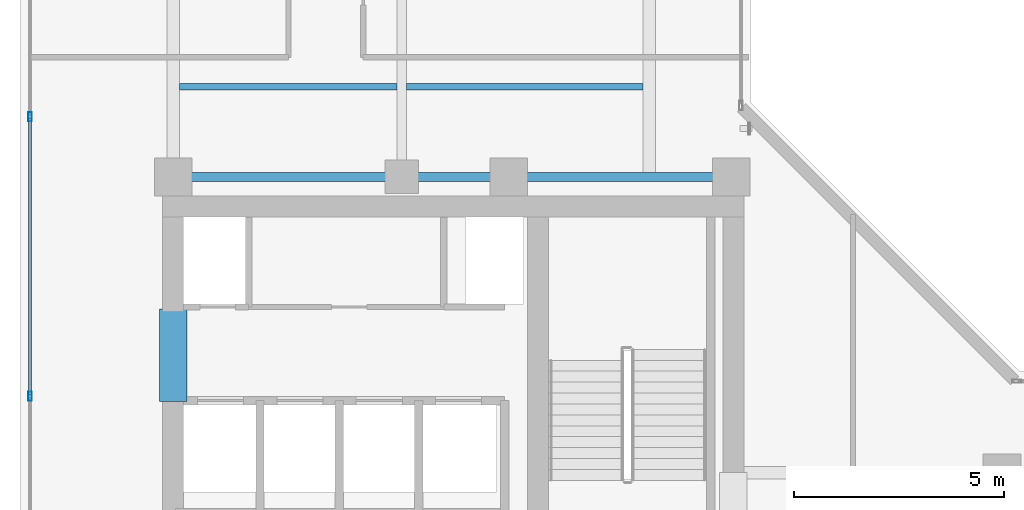
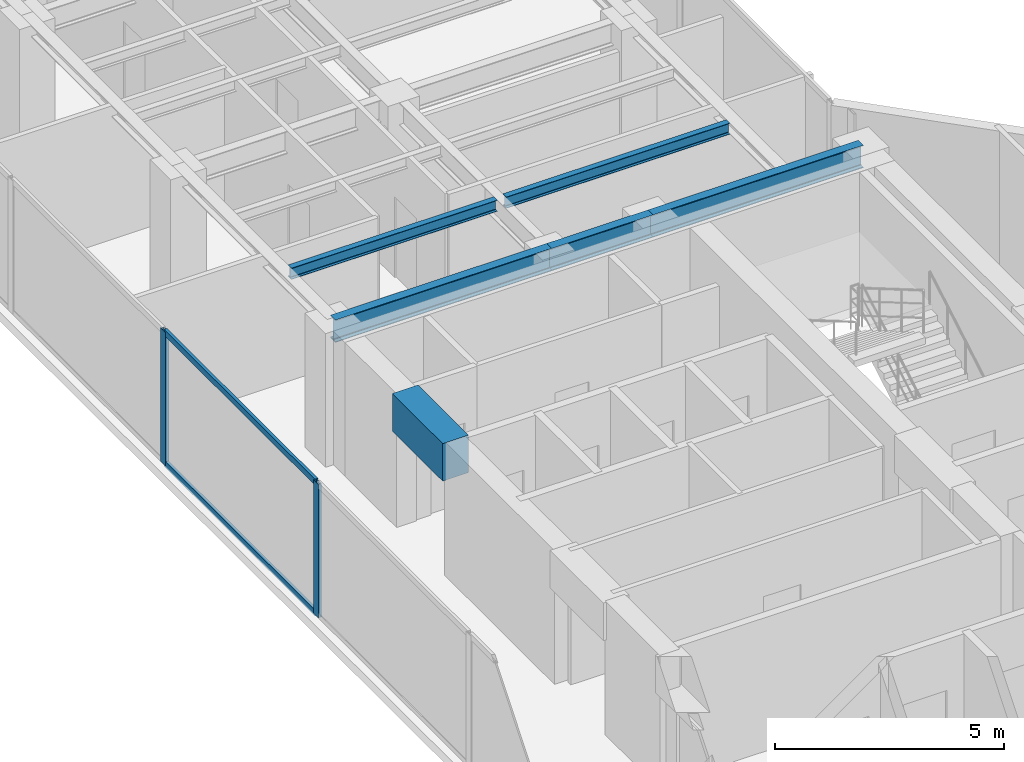
# One storey, part 7 of 22: 6 beams, 4 members, 1 element without a shape of its own.
"""IFC4 building model written with IfcOpenShell, lengths in metres."""

from ifc_helpers import new_model, si_unit, direction, frame, origin, origin_with_axes, origin_2d, place, context, subcontext, project, spatial, rectangle, hollow_rectangle, i_section, extrude, source, transform, mapped, material, layer, layer_set, material_profile, profile_set, type_object, element, aggregate, save


model = new_model("IFC4")

# Units and contexts
model_context = context("Model", 3, precision=1e-05, world=origin(), true_north=direction((0.0, 1.0)))
body_context = subcontext(model_context, "Body", "Model", "MODEL_VIEW")
ifc_project = project(units=[si_unit("LENGTHUNIT", "METRE"), si_unit("AREAUNIT", "SQUARE_METRE"), si_unit("VOLUMEUNIT", "CUBIC_METRE"), si_unit("PLANEANGLEUNIT", "RADIAN"), si_unit("MASSUNIT", "GRAM", prefix="KILO")], contexts=[model_context])

# Site, building, storey
site_placement = place(None, origin())
site = spatial("IfcSite", under=ifc_project, at=site_placement, CompositionType="ELEMENT")
building_placement = place(site_placement, origin())
building = spatial("IfcBuilding", under=site, at=building_placement, Name="Kolvaren Waterfront Exchange", CompositionType="ELEMENT")
storey_placement = place(building_placement, frame((0.0, 0.0, 327.39990234375)))
storey = spatial("IfcBuildingStorey", under=building, at=storey_placement, Name="L84", CompositionType="ELEMENT", Elevation=327.39990234375)

# Beams
ifc_material_1 = material(Name="Steel S355", Category="steel")
ifc_material_profile_1 = material_profile(ifc_material_1, i_section(OverallWidth=0.14990234375, OverallDepth=0.300048828125, WebThickness=0.007080078125, FlangeThickness=0.0107421875, FilletRadius=0.014892578125, at=origin_2d()), Name="IPE300")
ifc_profile_set_1 = profile_set([ifc_material_profile_1], Name="Steel S355")
beam_type_1 = type_object("IfcBeamType", Name="STR-BM-IPE300", PredefinedType="JOIST", material=ifc_profile_set_1)
beam_1_placement = place(storey_placement, frame((7.60205078125, 26.60009765625, 3.41015625), z_axis=(1.0, 0.0, 0.0), x_axis=(0.0, 1.0, 0.0)))
element("IfcBeam", 1, at=beam_1_placement, inside=storey, type_object=beam_type_1, Name="L84 north-arm composite joist 1A", PredefinedType="JOIST", context=body_context, shape_type="SweptSolid", body=[
    extrude(i_section(OverallWidth=0.14990234375, OverallDepth=0.300048828125, WebThickness=0.007080078125, FlangeThickness=0.0107421875, FilletRadius=0.014892578125, at=origin_2d()), origin(), (0.0, 0.0, 1.0), 5.18603515625),
])
beam_2_placement = place(storey_placement, frame((13.011962890625, 26.60009765625, 3.41015625), z_axis=(1.0, 0.0, 0.0), x_axis=(0.0, 1.0, 0.0)))
element("IfcBeam", 2, at=beam_2_placement, inside=storey, type_object=beam_type_1, Name="L84 north-arm composite joist 1B", PredefinedType="JOIST", context=body_context, shape_type="SweptSolid", body=[
    extrude(i_section(OverallWidth=0.14990234375, OverallDepth=0.300048828125, WebThickness=0.007080078125, FlangeThickness=0.0107421875, FilletRadius=0.014892578125, at=origin_2d()), origin(), (0.0, 0.0, 1.0), 5.635986328125),
])
ifc_material_profile_2 = material_profile(ifc_material_1, i_section(OverallWidth=0.219970703125, OverallDepth=0.60009765625, WebThickness=0.011962890625, FlangeThickness=0.01904296875, FilletRadius=0.02392578125, at=origin_2d()), Name="IPE600")
ifc_profile_set_2 = profile_set([ifc_material_profile_2], Name="Steel S355")
beam_type_2 = type_object("IfcBeamType", Name="STR-BM-IPE600", PredefinedType="BEAM", material=ifc_profile_set_2)
beam_3_placement = place(storey_placement, frame((7.449951171875, 24.449951171875, 3.260009765625), z_axis=(1.0, 0.0, 0.0), x_axis=(0.0, 1.0, 0.0)))
element("IfcBeam", 3, at=beam_3_placement, inside=storey, type_object=beam_type_2, Name="L84 north-arm girder 1A", PredefinedType="BEAM", context=body_context, shape_type="SweptSolid", body=[
    extrude(i_section(OverallWidth=0.219970703125, OverallDepth=0.60009765625, WebThickness=0.011962890625, FlangeThickness=0.01904296875, FilletRadius=0.02392578125, at=origin_2d()), origin(), (0.0, 0.0, 1.0), 5.449951171875),
])
beam_4_placement = place(storey_placement, frame((12.89990234375, 24.449951171875, 3.260009765625), z_axis=(1.0, 0.0, 0.0), x_axis=(0.0, 1.0, 0.0)))
element("IfcBeam", 4, at=beam_4_placement, inside=storey, type_object=beam_type_2, Name="L84 north-arm girder 1B", PredefinedType="BEAM", context=body_context, shape_type="SweptSolid", body=[
    extrude(i_section(OverallWidth=0.219970703125, OverallDepth=0.60009765625, WebThickness=0.011962890625, FlangeThickness=0.01904296875, FilletRadius=0.02392578125, at=origin_2d()), origin(), (0.0, 0.0, 1.0), 2.550048828125),
])
beam_5_placement = place(storey_placement, frame((15.449951171875, 24.449951171875, 3.260009765625), z_axis=(1.0, 0.0, 0.0), x_axis=(0.0, 1.0, 0.0)))
element("IfcBeam", 5, at=beam_5_placement, inside=storey, type_object=beam_type_2, Name="L84 north-arm girder 1C", PredefinedType="BEAM", context=body_context, shape_type="SweptSolid", body=[
    extrude(i_section(OverallWidth=0.219970703125, OverallDepth=0.60009765625, WebThickness=0.011962890625, FlangeThickness=0.01904296875, FilletRadius=0.02392578125, at=origin_2d()), origin(), (0.0, 0.0, 1.0), 5.300048828125),
])
ifc_material_2 = material(Name="Concrete C60/75", Category="concrete")
ifc_material_profile_3 = material_profile(ifc_material_2, rectangle(XDim=0.64990234375, YDim=1.0, at=origin_2d()), Name="RC-CB-1000x650")
ifc_profile_set_3 = profile_set([ifc_material_profile_3], Name="Concrete C60/75")
beam_type_3 = type_object("IfcBeamType", Name="STR-CB-1000", PredefinedType="SPANDREL", material=ifc_profile_set_3)
beam_6_placement = place(storey_placement, frame((7.449951171875, 19.10009765625, 3.06005859375), z_axis=(0.0, 1.0, 0.0), x_axis=(-1.0, 0.0, 0.0)))
element("IfcBeam", 6, at=beam_6_placement, inside=storey, type_object=beam_type_3, Name="L84 core coupling beam 5", PredefinedType="SPANDREL", context=body_context, shape_type="SweptSolid", body=[
    extrude(rectangle(XDim=0.64990234375, YDim=1.0, at=origin_2d()), origin(), (0.0, 0.0, 1.0), 2.199951171875),
])

# Curtain wall, members
ifc_material_3 = material(Name="Anodised aluminium 6063-T6", Category="aluminium")
ifc_layer = layer(ifc_material_3, 0.219970703125, Name="Anodised aluminium 6063-T6")
ifc_layer_set = layer_set([ifc_layer], Name="Anodised aluminium 6063-T6")
curtain_wall_type = type_object("IfcCurtainWallType", Name="ARC-CW-SYS2", PredefinedType="USERDEFINED", material=ifc_layer_set)
curtain_wall_placement = place(storey_placement, origin())
curtain_wall = element("IfcCurtainWall", 7, at=curtain_wall_placement, inside=storey, type_object=curtain_wall_type, Name="L84 stick curtain wall CW2 (CW-L84-W)", ObjectType="STICK CURTAIN WALL", PredefinedType="USERDEFINED")
ifc_material_profile_4 = material_profile(ifc_material_3, hollow_rectangle(XDim=0.080078125, YDim=0.219970703125, WallThickness=0.0048828125, at=origin_2d()), Name="ALU-MUL-220x80x5")
ifc_profile_set_4 = profile_set([ifc_material_profile_4], Name="Anodised aluminium 6063-T6")
member_type_1 = type_object("IfcMemberType", Name="ARC-CWM-220", PredefinedType="MULLION", material=ifc_profile_set_4)
shared_shape_1 = source(origin_with_axes(), body_context, "Body", "SweptSolid", [
    extrude(hollow_rectangle(XDim=0.080078125, YDim=0.219970703125, WallThickness=0.0048828125, at=origin_2d()), origin(), (0.0, 0.0, 1.0), 3.56005859375),
])
member_1_placement = place(storey_placement, frame((4.0400390625, 19.224609375, 0.0), z_axis=(0.0, 0.0, 1.0), x_axis=(-1.0, 0.0, 0.0)))
member_1 = element("IfcMember", 8, at=member_1_placement, type_object=member_type_1, Name="CW2 mullion 3", PredefinedType="MULLION", context=body_context, shape_type="MappedRepresentation", body=[
    mapped(shared_shape_1, transform((0.0, 0.0, 0.0), x_axis=(1.0, 0.0, 0.0), y_axis=(0.0, 1.0, 0.0), z_axis=(0.0, 0.0, 1.0), scale=1.0)),
])
member_2_placement = place(storey_placement, frame((4.0400390625, 25.886962890625, 0.0), z_axis=(0.0, 0.0, 1.0), x_axis=(-1.0, 0.0, 0.0)))
member_2 = element("IfcMember", 9, at=member_2_placement, type_object=member_type_1, Name="CW2 mullion 4", PredefinedType="MULLION", context=body_context, shape_type="MappedRepresentation", body=[
    mapped(shared_shape_1, transform((0.0, 0.0, 0.0), x_axis=(1.0, 0.0, 0.0), y_axis=(0.0, 1.0, 0.0), z_axis=(0.0, 0.0, 1.0), scale=1.0)),
])
ifc_material_profile_5 = material_profile(ifc_material_3, hollow_rectangle(XDim=0.074951171875, YDim=0.159912109375, WallThickness=0.00439453125, at=origin_2d()), Name="ALU-TRN-160x75x4.5")
ifc_profile_set_5 = profile_set([ifc_material_profile_5], Name="Anodised aluminium 6063-T6")
member_type_2 = type_object("IfcMemberType", Name="ARC-CWT-160", PredefinedType="USERDEFINED", material=ifc_profile_set_5)
shared_shape_2 = source(origin_with_axes(), body_context, "Body", "SweptSolid", [
    extrude(hollow_rectangle(XDim=0.074951171875, YDim=0.159912109375, WallThickness=0.00439453125, at=origin_2d()), origin(), (0.0, 0.0, 1.0), 6.582275390625),
])
member_3_placement = place(storey_placement, frame((4.0400390625, 19.2646484375, 0.03759765625), z_axis=(0.0, 1.0, 0.0), x_axis=(-1.0, 0.0, 0.0)))
member_3 = element("IfcMember", 10, at=member_3_placement, type_object=member_type_2, Name="CW2 transom 3.1", ObjectType="TRANSOM", PredefinedType="USERDEFINED", context=body_context, shape_type="MappedRepresentation", body=[
    mapped(shared_shape_2, transform((0.0, 0.0, 0.0), x_axis=(1.0, 0.0, 0.0), y_axis=(0.0, 1.0, 0.0), z_axis=(0.0, 0.0, 1.0), scale=1.0)),
])
member_4_placement = place(storey_placement, frame((4.0400390625, 19.2646484375, 3.522705078125), z_axis=(0.0, 1.0, 0.0), x_axis=(-1.0, 0.0, 0.0)))
member_4 = element("IfcMember", 11, at=member_4_placement, type_object=member_type_2, Name="CW2 transom 3.2", ObjectType="TRANSOM", PredefinedType="USERDEFINED", context=body_context, shape_type="MappedRepresentation", body=[
    mapped(shared_shape_2, transform((0.0, 0.0, 0.0), x_axis=(1.0, 0.0, 0.0), y_axis=(0.0, 1.0, 0.0), z_axis=(0.0, 0.0, 1.0), scale=1.0)),
])
aggregate(curtain_wall, [member_1, member_2, member_3, member_4])

save(model, "model.ifc")
